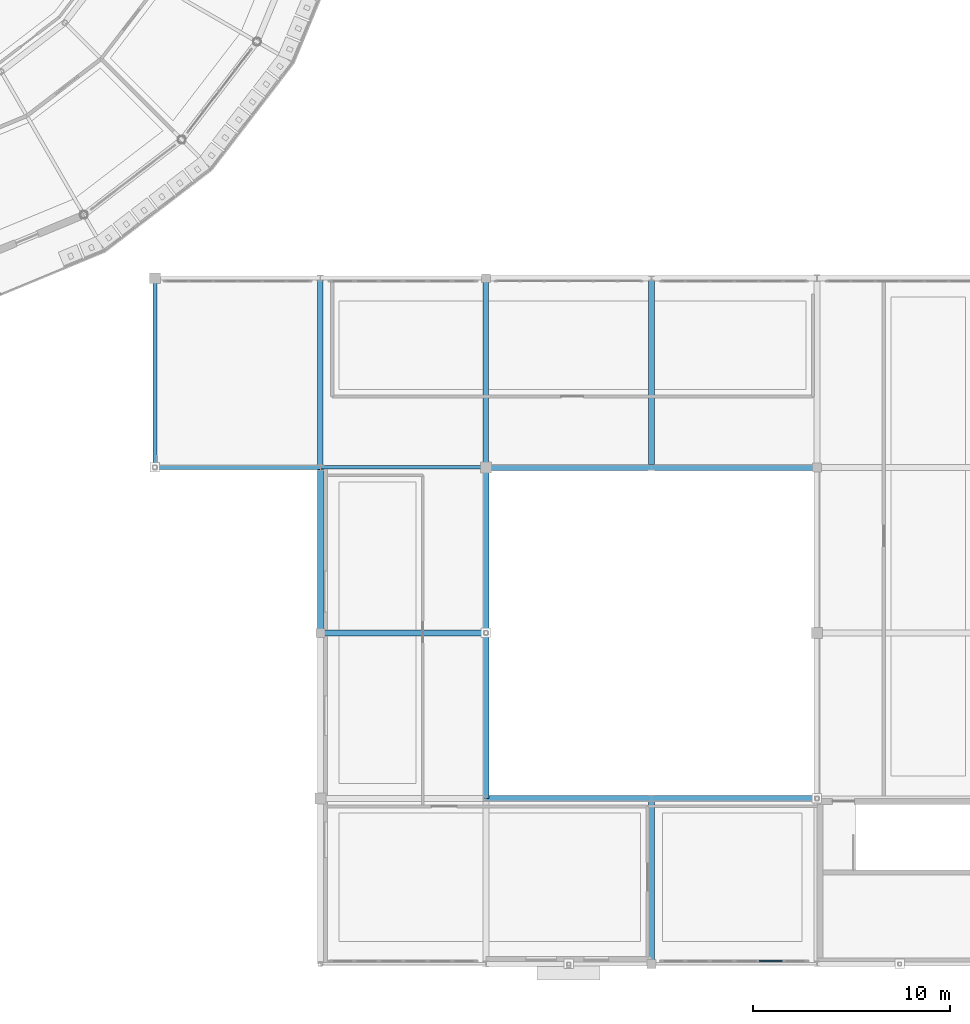
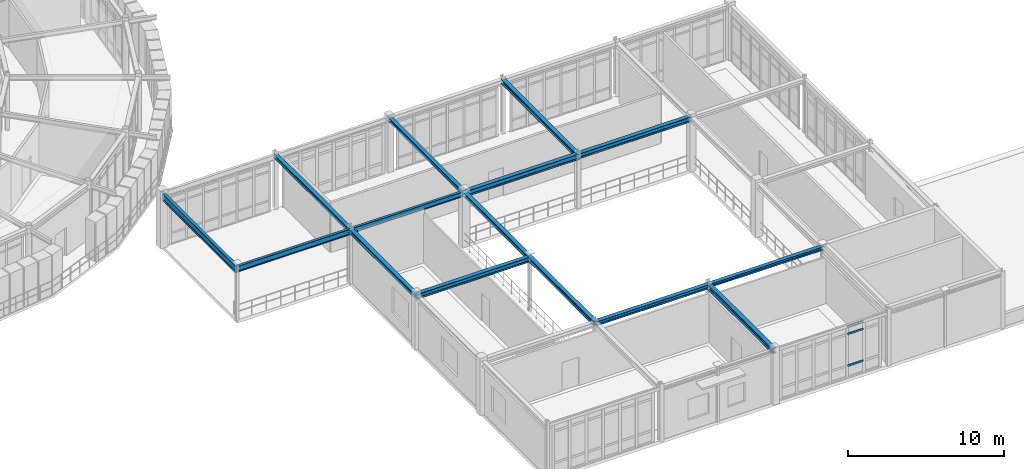
# One storey, part 36 of 106: 15 beams, 3 members, 1 element without a shape of its own.
"""IFC4 building model written with IfcOpenShell, lengths in metres."""

from ifc_helpers import new_model, si_unit, derived_unit, direction, frame, origin, origin_2d, place, context, subcontext, project, spatial, rectangle, i_section, extrude, material, layer, layer_set, material_profile, profile_set, type_object, element, aggregate, save


model = new_model("IFC4")

# Units and contexts
model_context = context("Model", 3, precision=1e-05, world=origin(), true_north=direction((0.0, 1.0)))
body_context = subcontext(model_context, "Body", "Model", "MODEL_VIEW")
ifc_project = project(units=[si_unit("LENGTHUNIT", "METRE"), si_unit("AREAUNIT", "SQUARE_METRE"), si_unit("VOLUMEUNIT", "CUBIC_METRE"), si_unit("PLANEANGLEUNIT", "RADIAN"), si_unit("MASSUNIT", "GRAM", prefix="KILO"), derived_unit("THERMALTRANSMITTANCEUNIT", [(si_unit("POWERUNIT", "WATT"), 1), (si_unit("AREAUNIT", "SQUARE_METRE"), -1), (si_unit("THERMODYNAMICTEMPERATUREUNIT", "KELVIN"), -1)])], contexts=[model_context])

# Site, building, storey
site_placement = place(None, origin())
site = spatial("IfcSite", under=ifc_project, at=site_placement, CompositionType="ELEMENT")
building_placement = place(site_placement, origin())
building = spatial("IfcBuilding", under=site, at=building_placement, Name="Yasenodar Specialist Clinic", CompositionType="ELEMENT")
storey_placement = place(building_placement, frame((0.0, 0.0, 4.5)))
storey = spatial("IfcBuildingStorey", under=building, at=storey_placement, Name="L01", CompositionType="ELEMENT", Elevation=4.5)

# Beams
ifc_material_1 = material(Name="Steel S355", Category="steel")
ifc_material_profile_1 = material_profile(ifc_material_1, i_section(OverallWidth=0.280029296875, OverallDepth=0.27001953125, WebThickness=0.008056640625, FlangeThickness=0.012939453125, FilletRadius=0.02392578125, at=origin_2d()), Name="HEA 280")
ifc_profile_set_1 = profile_set([ifc_material_profile_1], Name="Steel S355")
beam_type_1 = type_object("IfcBeamType", Name="BM-HEA280", PredefinedType="BEAM", material=ifc_profile_set_1)
beam_1_placement = place(storey_placement, frame((121.800048828125, 8.39990234375, 4.114990234375), z_axis=(1.0, 0.0, 0.0), x_axis=(0.0, 1.0, 0.0)))
element("IfcBeam", 1, at=beam_1_placement, inside=storey, type_object=beam_type_1, Name="L01 Primary E-W Girder", PredefinedType="BEAM", context=body_context, shape_type="SweptSolid", body=[
    extrude(i_section(OverallWidth=0.280029296875, OverallDepth=0.27001953125, WebThickness=0.008056640625, FlangeThickness=0.012939453125, FilletRadius=0.02392578125, at=origin_2d()), origin(), (0.0, 0.0, 1.0), 8.39990234375),
])
ifc_material_profile_2 = material_profile(ifc_material_1, i_section(OverallWidth=0.300048828125, OverallDepth=0.330078125, WebThickness=0.009521484375, FlangeThickness=0.0166015625, FilletRadius=0.027099609375, at=origin_2d()), Name="HEA 340")
ifc_profile_set_2 = profile_set([ifc_material_profile_2], Name="Steel S355")
beam_type_2 = type_object("IfcBeamType", Name="BM-HEA340", PredefinedType="BEAM", material=ifc_profile_set_2)
beam_2_placement = place(storey_placement, frame((113.39990234375, 8.39990234375, 4.0849609375), z_axis=(1.0, 0.0, 0.0), x_axis=(0.0, 1.0, 0.0)))
element("IfcBeam", 2, at=beam_2_placement, inside=storey, type_object=beam_type_2, Name="L01 Primary E-W Girder", PredefinedType="BEAM", context=body_context, shape_type="SweptSolid", body=[
    extrude(i_section(OverallWidth=0.300048828125, OverallDepth=0.330078125, WebThickness=0.009521484375, FlangeThickness=0.0166015625, FilletRadius=0.027099609375, at=origin_2d()), origin(), (0.0, 0.0, 1.0), 8.400146484375),
])
ifc_material_profile_3 = material_profile(ifc_material_1, i_section(OverallWidth=0.300048828125, OverallDepth=0.389892578125, WebThickness=0.010986328125, FlangeThickness=0.01904296875, FilletRadius=0.027099609375, at=origin_2d()), Name="HEA 400")
ifc_profile_set_3 = profile_set([ifc_material_profile_3], Name="Steel S355")
beam_type_3 = type_object("IfcBeamType", Name="BM-HEA400", PredefinedType="BEAM", material=ifc_profile_set_3)
for number, where, z_axis, x_axis, name in (
    (3, (105.0, 16.800048828125, 4.054931640625), (1.0, 0.0, 0.0), (0.0, 1.0, 0.0), "L01 Primary E-W Girder"),
    (4, (121.800048828125, 25.199951171875, 4.054931640625), (1.0, 0.0, 0.0), (0.0, 1.0, 0.0), "L01 Primary E-W Girder"),
):
    element("IfcBeam", number, at=place(storey_placement, frame(where, z_axis=z_axis, x_axis=x_axis)), inside=storey, type_object=beam_type_3, Name=name, PredefinedType="BEAM", context=body_context, shape_type="SweptSolid", body=[
        extrude(i_section(OverallWidth=0.300048828125, OverallDepth=0.389892578125, WebThickness=0.010986328125, FlangeThickness=0.01904296875, FilletRadius=0.027099609375, at=origin_2d()), origin(), (0.0, 0.0, 1.0), 8.39990234375),
    ])
ifc_material_profile_4 = material_profile(ifc_material_1, i_section(OverallWidth=0.300048828125, OverallDepth=0.43994140625, WebThickness=0.011474609375, FlangeThickness=0.02099609375, FilletRadius=0.027099609375, at=origin_2d()), Name="HEA 450")
ifc_profile_set_4 = profile_set([ifc_material_profile_4], Name="Steel S355")
beam_type_4 = type_object("IfcBeamType", Name="BM-HEA450", PredefinedType="BEAM", material=ifc_profile_set_4)
beam_3_placement = place(storey_placement, frame((113.39990234375, 25.199951171875, 4.030029296875), z_axis=(1.0, 0.0, 0.0), x_axis=(0.0, 1.0, 0.0)))
element("IfcBeam", 5, at=beam_3_placement, inside=storey, type_object=beam_type_4, Name="L01 Primary E-W Girder", PredefinedType="BEAM", context=body_context, shape_type="SweptSolid", body=[
    extrude(i_section(OverallWidth=0.300048828125, OverallDepth=0.43994140625, WebThickness=0.011474609375, FlangeThickness=0.02099609375, FilletRadius=0.027099609375, at=origin_2d()), origin(), (0.0, 0.0, 1.0), 8.400146484375),
])
ifc_material_profile_5 = material_profile(ifc_material_1, i_section(OverallWidth=0.280029296875, OverallDepth=0.280029296875, WebThickness=0.010498046875, FlangeThickness=0.01806640625, FilletRadius=0.02392578125, at=origin_2d()), Name="HEB 280")
ifc_profile_set_5 = profile_set([ifc_material_profile_5], Name="Steel S355")
beam_type_5 = type_object("IfcBeamType", Name="BM-HEB280", PredefinedType="BEAM", material=ifc_profile_set_5)
for number, where, z_axis, x_axis, name in (
    (6, (105.0, 25.199951171875, 4.110107421875), (0.0, 1.0, 0.0), (-1.0, 0.0, 0.0), "L01 Primary N-S Girder"),
    (7, (113.39990234375, 25.199951171875, 4.110107421875), (0.0, 1.0, 0.0), (-1.0, 0.0, 0.0), "L01 Primary N-S Girder"),
):
    element("IfcBeam", number, at=place(storey_placement, frame(where, z_axis=z_axis, x_axis=x_axis)), inside=storey, type_object=beam_type_5, Name=name, PredefinedType="BEAM", context=body_context, shape_type="SweptSolid", body=[
        extrude(i_section(OverallWidth=0.280029296875, OverallDepth=0.280029296875, WebThickness=0.010498046875, FlangeThickness=0.01806640625, FilletRadius=0.02392578125, at=origin_2d()), origin(), (0.0, 0.0, 1.0), 9.60009765625),
    ])
ifc_material_profile_6 = material_profile(ifc_material_1, i_section(OverallWidth=0.300048828125, OverallDepth=0.300048828125, WebThickness=0.010986328125, FlangeThickness=0.01904296875, FilletRadius=0.027099609375, at=origin_2d()), Name="HEB 300")
ifc_profile_set_6 = profile_set([ifc_material_profile_6], Name="Steel S355")
beam_type_6 = type_object("IfcBeamType", Name="BM-HEB300", PredefinedType="BEAM", material=ifc_profile_set_6)
for number, where, z_axis, x_axis, name in (
    (8, (105.0, 16.800048828125, 4.10009765625), (0.0, 1.0, 0.0), (-1.0, 0.0, 0.0), "L01 Primary N-S Girder"),
    (9, (113.39990234375, 16.800048828125, 4.10009765625), (0.0, 1.0, 0.0), (-1.0, 0.0, 0.0), "L01 Primary N-S Girder"),
):
    element("IfcBeam", number, at=place(storey_placement, frame(where, z_axis=z_axis, x_axis=x_axis)), inside=storey, type_object=beam_type_6, Name=name, PredefinedType="BEAM", context=body_context, shape_type="SweptSolid", body=[
        extrude(i_section(OverallWidth=0.300048828125, OverallDepth=0.300048828125, WebThickness=0.010986328125, FlangeThickness=0.01904296875, FilletRadius=0.027099609375, at=origin_2d()), origin(), (0.0, 0.0, 1.0), 8.39990234375),
    ])
ifc_material_profile_7 = material_profile(ifc_material_1, i_section(OverallWidth=0.300048828125, OverallDepth=0.340087890625, WebThickness=0.011962890625, FlangeThickness=0.021484375, FilletRadius=0.027099609375, at=origin_2d()), Name="HEB 340")
ifc_profile_set_7 = profile_set([ifc_material_profile_7], Name="Steel S355")
beam_type_7 = type_object("IfcBeamType", Name="BM-HEB340", PredefinedType="BEAM", material=ifc_profile_set_7)
beam_4_placement = place(storey_placement, frame((113.39990234375, 8.39990234375, 4.080078125), z_axis=(0.0, 1.0, 0.0), x_axis=(-1.0, 0.0, 0.0)))
element("IfcBeam", 10, at=beam_4_placement, inside=storey, type_object=beam_type_7, Name="L01 Primary N-S Girder", PredefinedType="BEAM", context=body_context, shape_type="SweptSolid", body=[
    extrude(i_section(OverallWidth=0.300048828125, OverallDepth=0.340087890625, WebThickness=0.011962890625, FlangeThickness=0.021484375, FilletRadius=0.027099609375, at=origin_2d()), origin(), (0.0, 0.0, 1.0), 8.400146484375),
])
beam_5_placement = place(storey_placement, frame((121.800048828125, 25.199951171875, 4.080078125), z_axis=(0.0, 1.0, 0.0), x_axis=(-1.0, 0.0, 0.0)))
element("IfcBeam", 11, at=beam_5_placement, inside=storey, type_object=beam_type_7, Name="L01 Primary N-S Girder", PredefinedType="BEAM", context=body_context, shape_type="SweptSolid", body=[
    extrude(i_section(OverallWidth=0.300048828125, OverallDepth=0.340087890625, WebThickness=0.011962890625, FlangeThickness=0.021484375, FilletRadius=0.027099609375, at=origin_2d()), origin(), (0.0, 0.0, 1.0), 9.60009765625),
])
ifc_material_profile_8 = material_profile(ifc_material_1, i_section(OverallWidth=0.300048828125, OverallDepth=0.39990234375, WebThickness=0.013427734375, FlangeThickness=0.02392578125, FilletRadius=0.027099609375, at=origin_2d()), Name="HEB 400")
ifc_profile_set_8 = profile_set([ifc_material_profile_8], Name="Steel S355")
beam_type_8 = type_object("IfcBeamType", Name="BM-HEB400", PredefinedType="BEAM", material=ifc_profile_set_8)
beam_6_placement = place(storey_placement, frame((121.800048828125, 0.0, 4.050048828125), z_axis=(0.0, 1.0, 0.0), x_axis=(-1.0, 0.0, 0.0)))
element("IfcBeam", 12, at=beam_6_placement, inside=storey, type_object=beam_type_8, Name="L01 Primary N-S Girder", PredefinedType="BEAM", context=body_context, shape_type="SweptSolid", body=[
    extrude(i_section(OverallWidth=0.300048828125, OverallDepth=0.39990234375, WebThickness=0.013427734375, FlangeThickness=0.02392578125, FilletRadius=0.027099609375, at=origin_2d()), origin(), (0.0, 0.0, 1.0), 8.39990234375),
])
ifc_material_profile_9 = material_profile(ifc_material_1, i_section(OverallWidth=0.179931640625, OverallDepth=0.39990234375, WebThickness=0.008544921875, FlangeThickness=0.013427734375, FilletRadius=0.02099609375, at=origin_2d()), Name="IPE 400")
ifc_profile_set_9 = profile_set([ifc_material_profile_9], Name="Steel S355")
beam_type_9 = type_object("IfcBeamType", Name="BM-IPE400", PredefinedType="BEAM", material=ifc_profile_set_9)
beam_7_placement = place(storey_placement, frame((105.0, 25.199951171875, 4.050048828125), z_axis=(1.0, 0.0, 0.0), x_axis=(0.0, 1.0, 0.0)))
element("IfcBeam", 13, at=beam_7_placement, inside=storey, type_object=beam_type_9, Name="L01 Primary E-W Girder", PredefinedType="BEAM", context=body_context, shape_type="SweptSolid", body=[
    extrude(i_section(OverallWidth=0.179931640625, OverallDepth=0.39990234375, WebThickness=0.008544921875, FlangeThickness=0.013427734375, FilletRadius=0.02099609375, at=origin_2d()), origin(), (0.0, 0.0, 1.0), 8.39990234375),
])
ifc_material_profile_10 = material_profile(ifc_material_1, i_section(OverallWidth=0.18994140625, OverallDepth=0.449951171875, WebThickness=0.009521484375, FlangeThickness=0.0146484375, FilletRadius=0.02099609375, at=origin_2d()), Name="IPE 450")
ifc_profile_set_10 = profile_set([ifc_material_profile_10], Name="Steel S355")
beam_type_10 = type_object("IfcBeamType", Name="BM-IPE450", PredefinedType="BEAM", material=ifc_profile_set_10)
beam_8_placement = place(storey_placement, frame((96.60009765625, 25.199951171875, 4.02490234375), z_axis=(1.0, 0.0, 0.0), x_axis=(0.0, 1.0, 0.0)))
element("IfcBeam", 14, at=beam_8_placement, inside=storey, type_object=beam_type_10, Name="L01 Primary E-W Girder", PredefinedType="BEAM", context=body_context, shape_type="SweptSolid", body=[
    extrude(i_section(OverallWidth=0.18994140625, OverallDepth=0.449951171875, WebThickness=0.009521484375, FlangeThickness=0.0146484375, FilletRadius=0.02099609375, at=origin_2d()), origin(), (0.0, 0.0, 1.0), 8.39990234375),
])
ifc_material_profile_11 = material_profile(ifc_material_1, i_section(OverallWidth=0.2099609375, OverallDepth=0.550048828125, WebThickness=0.010986328125, FlangeThickness=0.01708984375, FilletRadius=0.02392578125, at=origin_2d()), Name="IPE 550")
ifc_profile_set_11 = profile_set([ifc_material_profile_11], Name="Steel S355")
beam_type_11 = type_object("IfcBeamType", Name="BM-IPE550", PredefinedType="BEAM", material=ifc_profile_set_11)
beam_9_placement = place(storey_placement, frame((96.60009765625, 25.199951171875, 3.97509765625), z_axis=(0.0, 1.0, 0.0), x_axis=(-1.0, 0.0, 0.0)))
element("IfcBeam", 15, at=beam_9_placement, inside=storey, type_object=beam_type_11, Name="L01 Primary N-S Girder", PredefinedType="BEAM", context=body_context, shape_type="SweptSolid", body=[
    extrude(i_section(OverallWidth=0.2099609375, OverallDepth=0.550048828125, WebThickness=0.010986328125, FlangeThickness=0.01708984375, FilletRadius=0.02392578125, at=origin_2d()), origin(), (0.0, 0.0, 1.0), 9.60009765625),
])

# Curtain wall, members
ifc_material_2 = material(Name="Bronze Anodized Aluminium and Triple Low-E Glass", Category="aluminium")
ifc_layer = layer(ifc_material_2, 0.178955078125)
ifc_layer_set = layer_set([ifc_layer], Name="Bronze Anodized Aluminium and Triple Low-E Glass")
curtain_wall_type = type_object("IfcCurtainWallType", Name="CW-SYS-02", PredefinedType="USERDEFINED", material=ifc_layer_set)
curtain_wall_placement = place(storey_placement, origin())
curtain_wall = element("IfcCurtainWall", 16, at=curtain_wall_placement, inside=storey, type_object=curtain_wall_type, Name="L01 Unitised Curtain Wall 092", ObjectType="UNITISED CURTAIN WALL", PredefinedType="USERDEFINED")
ifc_material_3 = material(Name="Bronze Anodized Aluminium", Category="aluminium")
ifc_material_profile_12 = material_profile(ifc_material_3, rectangle(XDim=0.070068359375, YDim=0.14990234375, at=origin_2d()), Name="CW-TRAN 70x150")
ifc_profile_set_12 = profile_set([ifc_material_profile_12], Name="Bronze Anodized Aluminium")
member_type = type_object("IfcMemberType", Name="CW-TRAN-150", PredefinedType="USERDEFINED", material=ifc_profile_set_12)
member_1_placement = place(storey_placement, frame((128.445068359375, 0.14990234375, 0.89990234375), z_axis=(-1.0, 0.0, 0.0), x_axis=(0.0, -1.0, 0.0)))
member_1 = element("IfcMember", 17, at=member_1_placement, type_object=member_type, Name="CW-02 transom 2.2", ObjectType="TRANSOM", PredefinedType="USERDEFINED", context=body_context, shape_type="SweptSolid", body=[
    extrude(rectangle(XDim=0.070068359375, YDim=0.14990234375, at=origin_2d()), origin(), (0.0, 0.0, 1.0), 1.170166015625),
])
member_2_placement = place(storey_placement, frame((128.445068359375, 0.14990234375, 3.3779296875), z_axis=(-1.0, 0.0, 0.0), x_axis=(0.0, -1.0, 0.0)))
member_2 = element("IfcMember", 18, at=member_2_placement, type_object=member_type, Name="CW-02 transom 2.3", ObjectType="TRANSOM", PredefinedType="USERDEFINED", context=body_context, shape_type="SweptSolid", body=[
    extrude(rectangle(XDim=0.070068359375, YDim=0.14990234375, at=origin_2d()), origin(), (0.0, 0.0, 1.0), 1.170166015625),
])
member_3_placement = place(storey_placement, frame((128.445068359375, 0.14990234375, 3.943115234375), z_axis=(-1.0, 0.0, 0.0), x_axis=(0.0, -1.0, 0.0)))
member_3 = element("IfcMember", 19, at=member_3_placement, type_object=member_type, Name="CW-02 transom 2.4", ObjectType="TRANSOM", PredefinedType="USERDEFINED", context=body_context, shape_type="SweptSolid", body=[
    extrude(rectangle(XDim=0.070068359375, YDim=0.14990234375, at=origin_2d()), origin(), (0.0, 0.0, 1.0), 1.170166015625),
])
aggregate(curtain_wall, [member_1, member_2, member_3])

save(model, "model.ifc")
